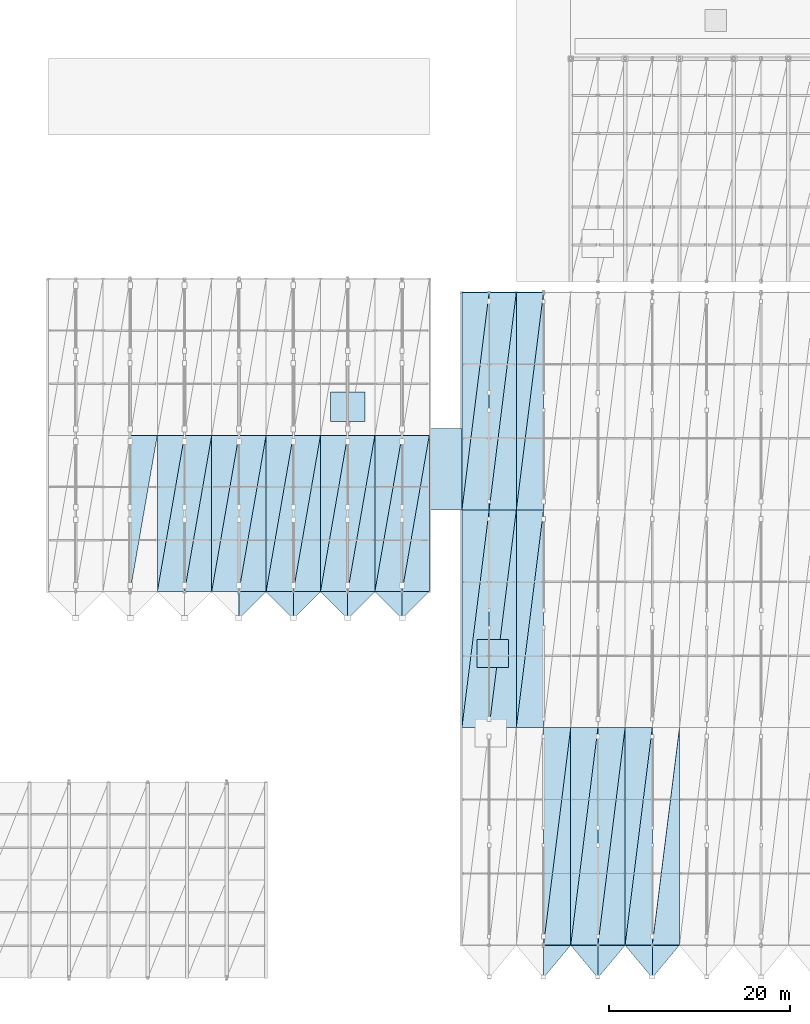
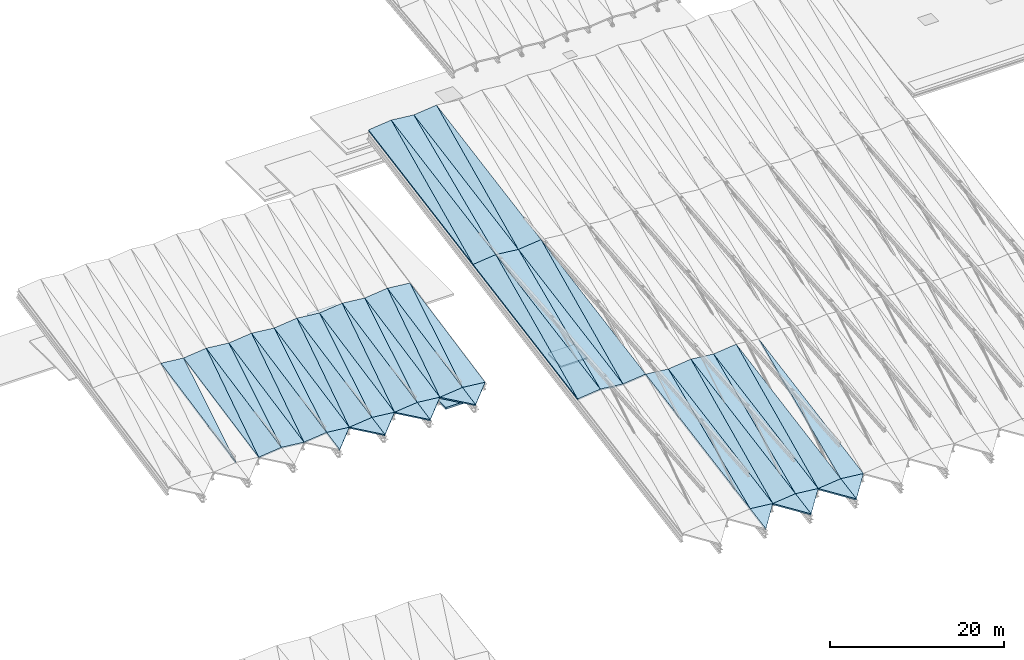
# One storey, part 19 of 52: 57 slabs.
"""IFC4 building model written with IfcOpenShell, lengths in metres."""

from ifc_helpers import new_model, si_unit, direction, frame, origin, place, context, subcontext, project, spatial, polyline, outline, extrude, material, layer, layer_set, type_object, element, save


model = new_model("IFC4")

# Units and contexts
model_context = context("Model", 3, precision=1e-05, world=origin(), true_north=direction((0.0, 1.0)))
body_context = subcontext(model_context, "Body", "Model", "MODEL_VIEW")
ifc_project = project(units=[si_unit("LENGTHUNIT", "METRE"), si_unit("AREAUNIT", "SQUARE_METRE"), si_unit("VOLUMEUNIT", "CUBIC_METRE"), si_unit("PLANEANGLEUNIT", "RADIAN"), si_unit("MASSUNIT", "GRAM", prefix="KILO")], contexts=[model_context])

# Site, building, storey
site_placement = place(None, origin())
site = spatial("IfcSite", under=ifc_project, at=site_placement, CompositionType="ELEMENT")
building_placement = place(site_placement, origin())
building = spatial("IfcBuilding", under=site, at=building_placement, Name="Vaelkrest Opera House", CompositionType="ELEMENT")
storey_placement = place(building_placement, frame((0.0, 0.0, 41.39990234375)))
storey = spatial("IfcBuildingStorey", under=building, at=storey_placement, Name="ROOF", CompositionType="ELEMENT", Elevation=41.39990234375)

# Slabs
ifc_material = material(Name="Concrete C40/50", Category="concrete")
ifc_layer_1 = layer(ifc_material, 0.235107421875)
ifc_layer_set_1 = layer_set([ifc_layer_1], Name="Concrete C40/50")
slab_type_1 = type_object("IfcSlabType", Name="RS01", PredefinedType="ROOF", material=ifc_layer_set_1)
slab_1_placement = place(storey_placement, frame((-30.0, -31.800048828125, -11.907958984375), z_axis=(-0.105709410569, -0.175053827978, 0.978867548664), x_axis=(0.994219425712, 0.0, 0.107367283359)))
element("IfcSlab", 1, at=slab_1_placement, inside=storey, type_object=slab_type_1, Name="Pleated roof facet V1 1-2WL", PredefinedType="ROOF", context=body_context, shape_type="SweptSolid", body=[
    extrude(outline(polyline([(0.0, 0.0), (3.0174425508234095, 0.0), (3.4782620921950986, 24.376399288817268), (0.0, 0.0)])), origin(), (0.0, 0.0, -1.0), 0.235107421875),
])
slab_2_placement = place(storey_placement, frame((-30.0, -31.800048828125, -11.907958984375), z_axis=(-0.105709410569, -0.175053827978, 0.978867548664), x_axis=(0.121835797394, 0.974686379149, 0.187463331813)))
element("IfcSlab", 2, at=slab_2_placement, inside=storey, type_object=slab_type_1, Name="Pleated roof facet V1 1-2WU", PredefinedType="ROOF", context=body_context, shape_type="SweptSolid", body=[
    extrude(outline(polyline([(0.0, 0.0), (24.623305007042667, 4.440892098500626e-16), (24.197064255165383, 2.9871856937523606), (0.0, 0.0)])), origin(), (0.0, 0.0, -1.0), 0.235107421875),
])
slab_3_placement = place(storey_placement, frame((-27.0, -31.800048828125, -11.583984375), z_axis=(0.105709410569, -0.175053827978, 0.978867548664), x_axis=(0.994219425712, 0.0, -0.107367283359)))
element("IfcSlab", 3, at=slab_3_placement, inside=storey, type_object=slab_type_1, Name="Pleated roof facet V1 1-2EL", PredefinedType="ROOF", context=body_context, shape_type="SweptSolid", body=[
    extrude(outline(polyline([(0.0, 0.0), (3.0174425508234095, 0.0), (2.55662300945172, 24.376399288817264), (0.0, 0.0)])), origin(), (0.0, 0.0, -1.0), 0.235107421875),
])
slab_4_placement = place(storey_placement, frame((-27.0, -31.800048828125, -11.583984375), z_axis=(0.105709410569, -0.175053827978, 0.978867548664), x_axis=(0.122398504974, 0.979188039796, 0.161893139758)))
element("IfcSlab", 4, at=slab_4_placement, inside=storey, type_object=slab_type_1, Name="Pleated roof facet V1 1-2EU", PredefinedType="ROOF", context=body_context, shape_type="SweptSolid", body=[
    extrude(outline(polyline([(0.0, 0.0), (24.51010329436229, -3.3306690738754696e-16), (24.195357046152544, 3.0009822303301914), (0.0, 0.0)])), origin(), (0.0, 0.0, -1.0), 0.235107421875),
])
slab_5_placement = place(storey_placement, frame((-30.0, -7.800048828125, -7.615966796875), z_axis=(-0.105709410569, -0.175053827978, 0.978867548664), x_axis=(0.994219425712, 0.0, 0.107367283359)))
element("IfcSlab", 5, at=slab_5_placement, inside=storey, type_object=slab_type_1, Name="Pleated roof facet V1 1-3WL", PredefinedType="ROOF", context=body_context, shape_type="SweptSolid", body=[
    extrude(outline(polyline([(0.0, 0.0), (3.0174425508234095, 0.0), (3.4782620921950986, 24.376399288817268), (0.0, 0.0)])), origin(), (0.0, 0.0, -1.0), 0.235107421875),
])
slab_6_placement = place(storey_placement, frame((-30.0, -7.800048828125, -7.615966796875), z_axis=(-0.105709410569, -0.175053827978, 0.978867548664), x_axis=(0.121835797394, 0.974686379149, 0.187463331813)))
element("IfcSlab", 6, at=slab_6_placement, inside=storey, type_object=slab_type_1, Name="Pleated roof facet V1 1-3WU", PredefinedType="ROOF", context=body_context, shape_type="SweptSolid", body=[
    extrude(outline(polyline([(0.0, 0.0), (24.623305007042667, 4.440892098500626e-16), (24.197064255165383, 2.9871856937523606), (0.0, 0.0)])), origin(), (0.0, 0.0, -1.0), 0.235107421875),
])
slab_7_placement = place(storey_placement, frame((-27.0, -7.800048828125, -7.2919921875), z_axis=(0.105709410569, -0.175053827978, 0.978867548664), x_axis=(0.994219425712, 0.0, -0.107367283359)))
element("IfcSlab", 7, at=slab_7_placement, inside=storey, type_object=slab_type_1, Name="Pleated roof facet V1 1-3EL", PredefinedType="ROOF", context=body_context, shape_type="SweptSolid", body=[
    extrude(outline(polyline([(0.0, 0.0), (3.0174425508234095, 0.0), (2.55662300945172, 24.376399288817264), (0.0, 0.0)])), origin(), (0.0, 0.0, -1.0), 0.235107421875),
])
slab_8_placement = place(storey_placement, frame((-27.0, -7.800048828125, -7.2919921875), z_axis=(0.105709410569, -0.175053827978, 0.978867548664), x_axis=(0.122398504974, 0.979188039796, 0.161893139758)))
element("IfcSlab", 8, at=slab_8_placement, inside=storey, type_object=slab_type_1, Name="Pleated roof facet V1 1-3EU", PredefinedType="ROOF", context=body_context, shape_type="SweptSolid", body=[
    extrude(outline(polyline([(0.0, 0.0), (24.51010329436229, -3.3306690738754696e-16), (24.195357046152544, 3.0009822303301914), (0.0, 0.0)])), origin(), (0.0, 0.0, -1.0), 0.235107421875),
])
slab_9_placement = place(storey_placement, frame((-21.0, -55.800048828125, -15.8759765625), z_axis=(0.105708050026, -0.175125083638, 0.978854950052), x_axis=(0.0, -0.984370170934, -0.176111801351)))
element("IfcSlab", 9, at=slab_9_placement, inside=storey, type_object=slab_type_1, Name="Sawtooth eave facet V1 bay 2E", PredefinedType="ROOF", context=body_context, shape_type="SweptSolid", body=[
    extrude(outline(polyline([(0.0, 0.0), (3.657011987887651, 0.0), (0.05705575204909795, 3.0169030790991282), (0.0, 0.0)])), origin(), (0.0, 0.0, -1.0), 0.235107421875),
])
slab_10_placement = place(storey_placement, frame((-21.0, -55.800048828125, -15.8759765625), z_axis=(0.105709410569, -0.175053827978, 0.978867548664), x_axis=(0.994219425712, 0.0, -0.107367283359)))
element("IfcSlab", 10, at=slab_10_placement, inside=storey, type_object=slab_type_1, Name="Pleated roof facet V1 2-1EL", PredefinedType="ROOF", context=body_context, shape_type="SweptSolid", body=[
    extrude(outline(polyline([(0.0, 0.0), (3.0174425508234095, 0.0), (2.55662300945172, 24.376399288817264), (0.0, 0.0)])), origin(), (0.0, 0.0, -1.0), 0.235107421875),
])
slab_11_placement = place(storey_placement, frame((-21.0, -55.800048828125, -15.8759765625), z_axis=(0.105709410569, -0.175053827978, 0.978867548664), x_axis=(0.122398504974, 0.979188039796, 0.161893139758)))
element("IfcSlab", 11, at=slab_11_placement, inside=storey, type_object=slab_type_1, Name="Pleated roof facet V1 2-1EU", PredefinedType="ROOF", context=body_context, shape_type="SweptSolid", body=[
    extrude(outline(polyline([(0.0, 0.0), (24.51010329436229, -3.3306690738754696e-16), (24.195357046152544, 3.0009822303301914), (0.0, 0.0)])), origin(), (0.0, 0.0, -1.0), 0.235107421875),
])
slab_12_placement = place(storey_placement, frame((-24.0, -31.800048828125, -11.907958984375), z_axis=(-0.105709410569, -0.175053827978, 0.978867548664), x_axis=(0.994219425712, 0.0, 0.107367283359)))
element("IfcSlab", 12, at=slab_12_placement, inside=storey, type_object=slab_type_1, Name="Pleated roof facet V1 2-2WL", PredefinedType="ROOF", context=body_context, shape_type="SweptSolid", body=[
    extrude(outline(polyline([(0.0, 0.0), (3.0174425508234095, 0.0), (3.4782620921950986, 24.376399288817268), (0.0, 0.0)])), origin(), (0.0, 0.0, -1.0), 0.235107421875),
])
slab_13_placement = place(storey_placement, frame((-24.0, -31.800048828125, -11.907958984375), z_axis=(-0.105709410569, -0.175053827978, 0.978867548664), x_axis=(0.121835797394, 0.974686379149, 0.187463331813)))
element("IfcSlab", 13, at=slab_13_placement, inside=storey, type_object=slab_type_1, Name="Pleated roof facet V1 2-2WU", PredefinedType="ROOF", context=body_context, shape_type="SweptSolid", body=[
    extrude(outline(polyline([(0.0, 0.0), (24.623305007042667, 4.440892098500626e-16), (24.197064255165383, 2.9871856937523606), (0.0, 0.0)])), origin(), (0.0, 0.0, -1.0), 0.235107421875),
])
slab_14_placement = place(storey_placement, frame((-24.0, -7.800048828125, -7.615966796875), z_axis=(-0.105709410569, -0.175053827978, 0.978867548664), x_axis=(0.994219425712, 0.0, 0.107367283359)))
element("IfcSlab", 14, at=slab_14_placement, inside=storey, type_object=slab_type_1, Name="Pleated roof facet V1 2-3WL", PredefinedType="ROOF", context=body_context, shape_type="SweptSolid", body=[
    extrude(outline(polyline([(0.0, 0.0), (3.0174425508234095, 0.0), (3.4782620921950986, 24.376399288817268), (0.0, 0.0)])), origin(), (0.0, 0.0, -1.0), 0.235107421875),
])
slab_15_placement = place(storey_placement, frame((-24.0, -7.800048828125, -7.615966796875), z_axis=(-0.105709410569, -0.175053827978, 0.978867548664), x_axis=(0.121835797394, 0.974686379149, 0.187463331813)))
element("IfcSlab", 15, at=slab_15_placement, inside=storey, type_object=slab_type_1, Name="Pleated roof facet V1 2-3WU", PredefinedType="ROOF", context=body_context, shape_type="SweptSolid", body=[
    extrude(outline(polyline([(0.0, 0.0), (24.623305007042667, 4.440892098500626e-16), (24.197064255165383, 2.9871856937523606), (0.0, 0.0)])), origin(), (0.0, 0.0, -1.0), 0.235107421875),
])
slab_16_placement = place(storey_placement, frame((-18.0, -55.800048828125, -16.199951171875), z_axis=(-0.105708050026, -0.175125083638, 0.978854950052), x_axis=(0.638711635196, -0.766422775144, -0.068143795064)))
element("IfcSlab", 16, at=slab_16_placement, inside=storey, type_object=slab_type_1, Name="Sawtooth eave facet V1 bay 3W", PredefinedType="ROOF", context=body_context, shape_type="SweptSolid", body=[
    extrude(outline(polyline([(0.0, 0.0), (4.696955299833145, -8.326672684688674e-17), (1.8940580462015932, 2.3489367094791396), (0.0, 0.0)])), origin(), (0.0, 0.0, -1.0), 0.235107421875),
])
slab_17_placement = place(storey_placement, frame((-15.0, -55.800048828125, -15.8759765625), z_axis=(0.105708050026, -0.175125083638, 0.978854950052), x_axis=(0.0, -0.984370170934, -0.176111801351)))
element("IfcSlab", 17, at=slab_17_placement, inside=storey, type_object=slab_type_1, Name="Sawtooth eave facet V1 bay 3E", PredefinedType="ROOF", context=body_context, shape_type="SweptSolid", body=[
    extrude(outline(polyline([(0.0, 0.0), (3.657011987887651, 0.0), (0.05705575204909795, 3.0169030790991282), (0.0, 0.0)])), origin(), (0.0, 0.0, -1.0), 0.235107421875),
])
slab_18_placement = place(storey_placement, frame((-18.0, -55.800048828125, -16.199951171875), z_axis=(-0.105709410569, -0.175053827978, 0.978867548664), x_axis=(0.994219425712, 0.0, 0.107367283359)))
element("IfcSlab", 18, at=slab_18_placement, inside=storey, type_object=slab_type_1, Name="Pleated roof facet V1 3-1WL", PredefinedType="ROOF", context=body_context, shape_type="SweptSolid", body=[
    extrude(outline(polyline([(0.0, 0.0), (3.0174425508234095, 0.0), (3.4782620921950986, 24.376399288817268), (0.0, 0.0)])), origin(), (0.0, 0.0, -1.0), 0.235107421875),
])
slab_19_placement = place(storey_placement, frame((-18.0, -55.800048828125, -16.199951171875), z_axis=(-0.105709410569, -0.175053827978, 0.978867548664), x_axis=(0.121835797394, 0.974686379149, 0.187463331813)))
element("IfcSlab", 19, at=slab_19_placement, inside=storey, type_object=slab_type_1, Name="Pleated roof facet V1 3-1WU", PredefinedType="ROOF", context=body_context, shape_type="SweptSolid", body=[
    extrude(outline(polyline([(0.0, 0.0), (24.623305007042667, 4.440892098500626e-16), (24.197064255165383, 2.9871856937523606), (0.0, 0.0)])), origin(), (0.0, 0.0, -1.0), 0.235107421875),
])
slab_20_placement = place(storey_placement, frame((-15.0, -55.800048828125, -15.8759765625), z_axis=(0.105709410569, -0.175053827978, 0.978867548664), x_axis=(0.994219425712, 0.0, -0.107367283359)))
element("IfcSlab", 20, at=slab_20_placement, inside=storey, type_object=slab_type_1, Name="Pleated roof facet V1 3-1EL", PredefinedType="ROOF", context=body_context, shape_type="SweptSolid", body=[
    extrude(outline(polyline([(0.0, 0.0), (3.0174425508234095, 0.0), (2.55662300945172, 24.376399288817264), (0.0, 0.0)])), origin(), (0.0, 0.0, -1.0), 0.235107421875),
])
slab_21_placement = place(storey_placement, frame((-15.0, -55.800048828125, -15.8759765625), z_axis=(0.105709410569, -0.175053827978, 0.978867548664), x_axis=(0.122398504974, 0.979188039796, 0.161893139758)))
element("IfcSlab", 21, at=slab_21_placement, inside=storey, type_object=slab_type_1, Name="Pleated roof facet V1 3-1EU", PredefinedType="ROOF", context=body_context, shape_type="SweptSolid", body=[
    extrude(outline(polyline([(0.0, 0.0), (24.51010329436229, -3.3306690738754696e-16), (24.195357046152544, 3.0009822303301914), (0.0, 0.0)])), origin(), (0.0, 0.0, -1.0), 0.235107421875),
])
slab_22_placement = place(storey_placement, frame((-12.0, -55.800048828125, -16.199951171875), z_axis=(-0.105708050026, -0.175125083638, 0.978854950052), x_axis=(0.638711635196, -0.766422775144, -0.068143795064)))
element("IfcSlab", 22, at=slab_22_placement, inside=storey, type_object=slab_type_1, Name="Sawtooth eave facet V1 bay 4W", PredefinedType="ROOF", context=body_context, shape_type="SweptSolid", body=[
    extrude(outline(polyline([(0.0, 0.0), (4.696955299833145, -8.326672684688674e-17), (1.8940580462015932, 2.3489367094791396), (0.0, 0.0)])), origin(), (0.0, 0.0, -1.0), 0.235107421875),
])
slab_23_placement = place(storey_placement, frame((-9.0, -55.800048828125, -15.8759765625), z_axis=(0.105708050026, -0.175125083638, 0.978854950052), x_axis=(0.0, -0.984370170934, -0.176111801351)))
element("IfcSlab", 23, at=slab_23_placement, inside=storey, type_object=slab_type_1, Name="Sawtooth eave facet V1 bay 4E", PredefinedType="ROOF", context=body_context, shape_type="SweptSolid", body=[
    extrude(outline(polyline([(0.0, 0.0), (3.657011987887651, 0.0), (0.05705575204909795, 3.0169030790991282), (0.0, 0.0)])), origin(), (0.0, 0.0, -1.0), 0.235107421875),
])
slab_24_placement = place(storey_placement, frame((-12.0, -55.800048828125, -16.199951171875), z_axis=(-0.105709410569, -0.175053827978, 0.978867548664), x_axis=(0.994219425712, 0.0, 0.107367283359)))
element("IfcSlab", 24, at=slab_24_placement, inside=storey, type_object=slab_type_1, Name="Pleated roof facet V1 4-1WL", PredefinedType="ROOF", context=body_context, shape_type="SweptSolid", body=[
    extrude(outline(polyline([(0.0, 0.0), (3.0174425508234095, 0.0), (3.4782620921950986, 24.376399288817268), (0.0, 0.0)])), origin(), (0.0, 0.0, -1.0), 0.235107421875),
])
slab_25_placement = place(storey_placement, frame((-12.0, -55.800048828125, -16.199951171875), z_axis=(-0.105709410569, -0.175053827978, 0.978867548664), x_axis=(0.121835797394, 0.974686379149, 0.187463331813)))
element("IfcSlab", 25, at=slab_25_placement, inside=storey, type_object=slab_type_1, Name="Pleated roof facet V1 4-1WU", PredefinedType="ROOF", context=body_context, shape_type="SweptSolid", body=[
    extrude(outline(polyline([(0.0, 0.0), (24.623305007042667, 4.440892098500626e-16), (24.197064255165383, 2.9871856937523606), (0.0, 0.0)])), origin(), (0.0, 0.0, -1.0), 0.235107421875),
])
slab_26_placement = place(storey_placement, frame((-9.0, -55.800048828125, -15.8759765625), z_axis=(0.105709410569, -0.175053827978, 0.978867548664), x_axis=(0.994219425712, 0.0, -0.107367283359)))
element("IfcSlab", 26, at=slab_26_placement, inside=storey, type_object=slab_type_1, Name="Pleated roof facet V1 4-1EL", PredefinedType="ROOF", context=body_context, shape_type="SweptSolid", body=[
    extrude(outline(polyline([(0.0, 0.0), (3.0174425508234095, 0.0), (2.55662300945172, 24.376399288817264), (0.0, 0.0)])), origin(), (0.0, 0.0, -1.0), 0.235107421875),
])
ifc_layer_2 = layer(ifc_material, 0.215087890625)
ifc_layer_set_2 = layer_set([ifc_layer_2], Name="Concrete C40/50")
slab_type_2 = type_object("IfcSlabType", Name="RS02", PredefinedType="ROOF", material=ifc_layer_set_2)
slab_27_placement = place(storey_placement, frame((-66.60009765625, -16.800048828125, -17.075927734375), z_axis=(0.105319554338, -0.194372394638, 0.975257485835), x_axis=(0.168693911768, 0.969989992668, 0.175105049203)))
element("IfcSlab", 27, at=slab_27_placement, inside=storey, type_object=slab_type_2, Name="Pleated roof facet V3 2-1EU", PredefinedType="ROOF", context=body_context, shape_type="SweptSolid", body=[
    extrude(outline(polyline([(0.0, 0.0), (17.78368862605912, -1.1102230246251565e-16), (17.334336480669204, 2.9837966078392753), (0.0, 0.0)])), origin(), (0.0, 0.0, -1.0), 0.215087890625),
])
slab_28_placement = place(storey_placement, frame((-63.60009765625, -16.800048828125, -17.39990234375), z_axis=(-0.105319554338, -0.194372394638, 0.975257485835), x_axis=(0.994219425712, 0.0, 0.107367283359)))
element("IfcSlab", 28, at=slab_28_placement, inside=storey, type_object=slab_type_2, Name="Pleated roof facet V3 3-1WL", PredefinedType="ROOF", context=body_context, shape_type="SweptSolid", body=[
    extrude(outline(polyline([(0.0, 0.0), (3.0174425508234095, 1.3877787807814457e-17), (3.3865700128027116, 17.585391901769633), (0.0, 0.0)])), origin(), (0.0, 0.0, -1.0), 0.215087890625),
])
slab_29_placement = place(storey_placement, frame((-63.60009765625, -16.800048828125, -17.39990234375), z_axis=(-0.105319554338, -0.194372394638, 0.975257485835), x_axis=(0.167518088972, 0.963229011591, 0.210065611408)))
element("IfcSlab", 29, at=slab_29_placement, inside=storey, type_object=slab_type_2, Name="Pleated roof facet V3 3-1WU", PredefinedType="ROOF", context=body_context, shape_type="SweptSolid", body=[
    extrude(outline(polyline([(0.0, 0.0), (17.90851375157748, 1.1102230246251565e-16), (17.337903560261445, 2.962999081519595), (0.0, 0.0)])), origin(), (0.0, 0.0, -1.0), 0.215087890625),
])
slab_30_placement = place(storey_placement, frame((-60.60009765625, -16.800048828125, -17.075927734375), z_axis=(0.105319554338, -0.194372394638, 0.975257485835), x_axis=(0.994219425712, 0.0, -0.107367283359)))
element("IfcSlab", 30, at=slab_30_placement, inside=storey, type_object=slab_type_2, Name="Pleated roof facet V3 3-1EL", PredefinedType="ROOF", context=body_context, shape_type="SweptSolid", body=[
    extrude(outline(polyline([(0.0, 0.0), (3.0174425508234095, -1.3877787807814457e-17), (2.6483150888441074, 17.585391901769633), (0.0, 0.0)])), origin(), (0.0, 0.0, -1.0), 0.215087890625),
])
slab_31_placement = place(storey_placement, frame((-60.60009765625, -16.800048828125, -17.075927734375), z_axis=(0.105319554338, -0.194372394638, 0.975257485835), x_axis=(0.168693911768, 0.969989992668, 0.175105049203)))
element("IfcSlab", 31, at=slab_31_placement, inside=storey, type_object=slab_type_2, Name="Pleated roof facet V3 3-1EU", PredefinedType="ROOF", context=body_context, shape_type="SweptSolid", body=[
    extrude(outline(polyline([(0.0, 0.0), (17.78368862605912, -1.1102230246251565e-16), (17.334336480669204, 2.9837966078392753), (0.0, 0.0)])), origin(), (0.0, 0.0, -1.0), 0.215087890625),
])
slab_32_placement = place(storey_placement, frame((-54.60009765625, -16.800048828125, -17.075927734375), z_axis=(0.105319624978, -0.194369074281, 0.97525813996), x_axis=(0.0, -0.980712448023, -0.195456118588)))
element("IfcSlab", 32, at=slab_32_placement, inside=storey, type_object=slab_type_2, Name="Sawtooth eave facet V3 bay 4E", PredefinedType="ROOF", context=body_context, shape_type="SweptSolid", body=[
    extrude(outline(polyline([(0.0, 0.0), (3.059000633721662, -6.938893903907228e-18), (0.06332281966945137, 3.016778044210213), (0.0, 0.0)])), origin(), (0.0, 0.0, -1.0), 0.215087890625),
])
slab_33_placement = place(storey_placement, frame((-57.60009765625, -16.800048828125, -17.39990234375), z_axis=(-0.105319554338, -0.194372394638, 0.975257485835), x_axis=(0.994219425712, 0.0, 0.107367283359)))
element("IfcSlab", 33, at=slab_33_placement, inside=storey, type_object=slab_type_2, Name="Pleated roof facet V3 4-1WL", PredefinedType="ROOF", context=body_context, shape_type="SweptSolid", body=[
    extrude(outline(polyline([(0.0, 0.0), (3.0174425508234095, 1.3877787807814457e-17), (3.3865700128027116, 17.585391901769633), (0.0, 0.0)])), origin(), (0.0, 0.0, -1.0), 0.215087890625),
])
slab_34_placement = place(storey_placement, frame((-57.60009765625, -16.800048828125, -17.39990234375), z_axis=(-0.105319554338, -0.194372394638, 0.975257485835), x_axis=(0.167518088972, 0.963229011591, 0.210065611408)))
element("IfcSlab", 34, at=slab_34_placement, inside=storey, type_object=slab_type_2, Name="Pleated roof facet V3 4-1WU", PredefinedType="ROOF", context=body_context, shape_type="SweptSolid", body=[
    extrude(outline(polyline([(0.0, 0.0), (17.90851375157748, 1.1102230246251565e-16), (17.337903560261445, 2.962999081519595), (0.0, 0.0)])), origin(), (0.0, 0.0, -1.0), 0.215087890625),
])
slab_35_placement = place(storey_placement, frame((-54.60009765625, -16.800048828125, -17.075927734375), z_axis=(0.105319554338, -0.194372394638, 0.975257485835), x_axis=(0.994219425712, 0.0, -0.107367283359)))
element("IfcSlab", 35, at=slab_35_placement, inside=storey, type_object=slab_type_2, Name="Pleated roof facet V3 4-1EL", PredefinedType="ROOF", context=body_context, shape_type="SweptSolid", body=[
    extrude(outline(polyline([(0.0, 0.0), (3.0174425508234095, -1.3877787807814457e-17), (2.6483150888441074, 17.585391901769633), (0.0, 0.0)])), origin(), (0.0, 0.0, -1.0), 0.215087890625),
])
slab_36_placement = place(storey_placement, frame((-54.60009765625, -16.800048828125, -17.075927734375), z_axis=(0.105319554338, -0.194372394638, 0.975257485835), x_axis=(0.168693911768, 0.969989992668, 0.175105049203)))
element("IfcSlab", 36, at=slab_36_placement, inside=storey, type_object=slab_type_2, Name="Pleated roof facet V3 4-1EU", PredefinedType="ROOF", context=body_context, shape_type="SweptSolid", body=[
    extrude(outline(polyline([(0.0, 0.0), (17.78368862605912, -1.1102230246251565e-16), (17.334336480669204, 2.9837966078392753), (0.0, 0.0)])), origin(), (0.0, 0.0, -1.0), 0.215087890625),
])
slab_37_placement = place(storey_placement, frame((-51.60009765625, -16.800048828125, -17.39990234375), z_axis=(-0.105319624978, -0.194369074281, 0.97525813996), x_axis=(0.70563753999, -0.70563753999, -0.064430771474)))
element("IfcSlab", 37, at=slab_37_placement, inside=storey, type_object=slab_type_2, Name="Sawtooth eave facet V3 bay 5W", PredefinedType="ROOF", context=body_context, shape_type="SweptSolid", body=[
    extrude(outline(polyline([(0.0, 0.0), (4.251474489354655, -2.8449465006019636e-16), (2.0960386859511555, 2.170617740302479), (0.0, 0.0)])), origin(), (0.0, 0.0, -1.0), 0.215087890625),
])
slab_38_placement = place(storey_placement, frame((-48.60009765625, -16.800048828125, -17.075927734375), z_axis=(0.105319624978, -0.194369074281, 0.97525813996), x_axis=(0.0, -0.980712448023, -0.195456118588)))
element("IfcSlab", 38, at=slab_38_placement, inside=storey, type_object=slab_type_2, Name="Sawtooth eave facet V3 bay 5E", PredefinedType="ROOF", context=body_context, shape_type="SweptSolid", body=[
    extrude(outline(polyline([(0.0, 0.0), (3.059000633721662, -6.938893903907228e-18), (0.06332281966945137, 3.016778044210213), (0.0, 0.0)])), origin(), (0.0, 0.0, -1.0), 0.215087890625),
])
slab_39_placement = place(storey_placement, frame((-51.60009765625, -16.800048828125, -17.39990234375), z_axis=(-0.105319554338, -0.194372394638, 0.975257485835), x_axis=(0.994219425712, 0.0, 0.107367283359)))
element("IfcSlab", 39, at=slab_39_placement, inside=storey, type_object=slab_type_2, Name="Pleated roof facet V3 5-1WL", PredefinedType="ROOF", context=body_context, shape_type="SweptSolid", body=[
    extrude(outline(polyline([(0.0, 0.0), (3.0174425508234095, 1.3877787807814457e-17), (3.3865700128027116, 17.585391901769633), (0.0, 0.0)])), origin(), (0.0, 0.0, -1.0), 0.215087890625),
])
slab_40_placement = place(storey_placement, frame((-51.60009765625, -16.800048828125, -17.39990234375), z_axis=(-0.105319554338, -0.194372394638, 0.975257485835), x_axis=(0.167518088972, 0.963229011591, 0.210065611408)))
element("IfcSlab", 40, at=slab_40_placement, inside=storey, type_object=slab_type_2, Name="Pleated roof facet V3 5-1WU", PredefinedType="ROOF", context=body_context, shape_type="SweptSolid", body=[
    extrude(outline(polyline([(0.0, 0.0), (17.90851375157748, 1.1102230246251565e-16), (17.337903560261445, 2.962999081519595), (0.0, 0.0)])), origin(), (0.0, 0.0, -1.0), 0.215087890625),
])
slab_41_placement = place(storey_placement, frame((-48.60009765625, -16.800048828125, -17.075927734375), z_axis=(0.105319554338, -0.194372394638, 0.975257485835), x_axis=(0.994219425712, 0.0, -0.107367283359)))
element("IfcSlab", 41, at=slab_41_placement, inside=storey, type_object=slab_type_2, Name="Pleated roof facet V3 5-1EL", PredefinedType="ROOF", context=body_context, shape_type="SweptSolid", body=[
    extrude(outline(polyline([(0.0, 0.0), (3.0174425508234095, -1.3877787807814457e-17), (2.6483150888441074, 17.585391901769633), (0.0, 0.0)])), origin(), (0.0, 0.0, -1.0), 0.215087890625),
])
slab_42_placement = place(storey_placement, frame((-48.60009765625, -16.800048828125, -17.075927734375), z_axis=(0.105319554338, -0.194372394638, 0.975257485835), x_axis=(0.168693911768, 0.969989992668, 0.175105049203)))
element("IfcSlab", 42, at=slab_42_placement, inside=storey, type_object=slab_type_2, Name="Pleated roof facet V3 5-1EU", PredefinedType="ROOF", context=body_context, shape_type="SweptSolid", body=[
    extrude(outline(polyline([(0.0, 0.0), (17.78368862605912, -1.1102230246251565e-16), (17.334336480669204, 2.9837966078392753), (0.0, 0.0)])), origin(), (0.0, 0.0, -1.0), 0.215087890625),
])
slab_43_placement = place(storey_placement, frame((-45.60009765625, -16.800048828125, -17.39990234375), z_axis=(-0.105319624978, -0.194369074281, 0.97525813996), x_axis=(0.70563753999, -0.70563753999, -0.064430771474)))
element("IfcSlab", 43, at=slab_43_placement, inside=storey, type_object=slab_type_2, Name="Sawtooth eave facet V3 bay 6W", PredefinedType="ROOF", context=body_context, shape_type="SweptSolid", body=[
    extrude(outline(polyline([(0.0, 0.0), (4.251474489354655, -2.8449465006019636e-16), (2.0960386859511555, 2.170617740302479), (0.0, 0.0)])), origin(), (0.0, 0.0, -1.0), 0.215087890625),
])
slab_44_placement = place(storey_placement, frame((-42.60009765625, -16.800048828125, -17.075927734375), z_axis=(0.105319624978, -0.194369074281, 0.97525813996), x_axis=(0.0, -0.980712448023, -0.195456118588)))
element("IfcSlab", 44, at=slab_44_placement, inside=storey, type_object=slab_type_2, Name="Sawtooth eave facet V3 bay 6E", PredefinedType="ROOF", context=body_context, shape_type="SweptSolid", body=[
    extrude(outline(polyline([(0.0, 0.0), (3.059000633721662, -6.938893903907228e-18), (0.06332281966945137, 3.016778044210213), (0.0, 0.0)])), origin(), (0.0, 0.0, -1.0), 0.215087890625),
])
slab_45_placement = place(storey_placement, frame((-45.60009765625, -16.800048828125, -17.39990234375), z_axis=(-0.105319554338, -0.194372394638, 0.975257485835), x_axis=(0.994219425712, 0.0, 0.107367283359)))
element("IfcSlab", 45, at=slab_45_placement, inside=storey, type_object=slab_type_2, Name="Pleated roof facet V3 6-1WL", PredefinedType="ROOF", context=body_context, shape_type="SweptSolid", body=[
    extrude(outline(polyline([(0.0, 0.0), (3.0174425508234095, 1.3877787807814457e-17), (3.3865700128027116, 17.585391901769633), (0.0, 0.0)])), origin(), (0.0, 0.0, -1.0), 0.215087890625),
])
slab_46_placement = place(storey_placement, frame((-45.60009765625, -16.800048828125, -17.39990234375), z_axis=(-0.105319554338, -0.194372394638, 0.975257485835), x_axis=(0.167518088972, 0.963229011591, 0.210065611408)))
element("IfcSlab", 46, at=slab_46_placement, inside=storey, type_object=slab_type_2, Name="Pleated roof facet V3 6-1WU", PredefinedType="ROOF", context=body_context, shape_type="SweptSolid", body=[
    extrude(outline(polyline([(0.0, 0.0), (17.90851375157748, 1.1102230246251565e-16), (17.337903560261445, 2.962999081519595), (0.0, 0.0)])), origin(), (0.0, 0.0, -1.0), 0.215087890625),
])
slab_47_placement = place(storey_placement, frame((-42.60009765625, -16.800048828125, -17.075927734375), z_axis=(0.105319554338, -0.194372394638, 0.975257485835), x_axis=(0.994219425712, 0.0, -0.107367283359)))
element("IfcSlab", 47, at=slab_47_placement, inside=storey, type_object=slab_type_2, Name="Pleated roof facet V3 6-1EL", PredefinedType="ROOF", context=body_context, shape_type="SweptSolid", body=[
    extrude(outline(polyline([(0.0, 0.0), (3.0174425508234095, -1.3877787807814457e-17), (2.6483150888441074, 17.585391901769633), (0.0, 0.0)])), origin(), (0.0, 0.0, -1.0), 0.215087890625),
])
slab_48_placement = place(storey_placement, frame((-42.60009765625, -16.800048828125, -17.075927734375), z_axis=(0.105319554338, -0.194372394638, 0.975257485835), x_axis=(0.168693911768, 0.969989992668, 0.175105049203)))
element("IfcSlab", 48, at=slab_48_placement, inside=storey, type_object=slab_type_2, Name="Pleated roof facet V3 6-1EU", PredefinedType="ROOF", context=body_context, shape_type="SweptSolid", body=[
    extrude(outline(polyline([(0.0, 0.0), (17.78368862605912, -1.1102230246251565e-16), (17.334336480669204, 2.9837966078392753), (0.0, 0.0)])), origin(), (0.0, 0.0, -1.0), 0.215087890625),
])
slab_49_placement = place(storey_placement, frame((-39.60009765625, -16.800048828125, -17.39990234375), z_axis=(-0.105319624978, -0.194369074281, 0.97525813996), x_axis=(0.70563753999, -0.70563753999, -0.064430771474)))
element("IfcSlab", 49, at=slab_49_placement, inside=storey, type_object=slab_type_2, Name="Sawtooth eave facet V3 bay 7W", PredefinedType="ROOF", context=body_context, shape_type="SweptSolid", body=[
    extrude(outline(polyline([(0.0, 0.0), (4.251474489354655, -2.8449465006019636e-16), (2.0960386859511555, 2.170617740302479), (0.0, 0.0)])), origin(), (0.0, 0.0, -1.0), 0.215087890625),
])
slab_50_placement = place(storey_placement, frame((-36.60009765625, -16.800048828125, -17.075927734375), z_axis=(0.105319624978, -0.194369074281, 0.97525813996), x_axis=(0.0, -0.980712448023, -0.195456118588)))
element("IfcSlab", 50, at=slab_50_placement, inside=storey, type_object=slab_type_2, Name="Sawtooth eave facet V3 bay 7E", PredefinedType="ROOF", context=body_context, shape_type="SweptSolid", body=[
    extrude(outline(polyline([(0.0, 0.0), (3.059000633721662, -6.938893903907228e-18), (0.06332281966945137, 3.016778044210213), (0.0, 0.0)])), origin(), (0.0, 0.0, -1.0), 0.215087890625),
])
slab_51_placement = place(storey_placement, frame((-39.60009765625, -16.800048828125, -17.39990234375), z_axis=(-0.105319554338, -0.194372394638, 0.975257485835), x_axis=(0.994219425712, 0.0, 0.107367283359)))
element("IfcSlab", 51, at=slab_51_placement, inside=storey, type_object=slab_type_2, Name="Pleated roof facet V3 7-1WL", PredefinedType="ROOF", context=body_context, shape_type="SweptSolid", body=[
    extrude(outline(polyline([(0.0, 0.0), (3.0174425508234095, 1.3877787807814457e-17), (3.3865700128027116, 17.585391901769633), (0.0, 0.0)])), origin(), (0.0, 0.0, -1.0), 0.215087890625),
])
slab_52_placement = place(storey_placement, frame((-39.60009765625, -16.800048828125, -17.39990234375), z_axis=(-0.105319554338, -0.194372394638, 0.975257485835), x_axis=(0.167518088972, 0.963229011591, 0.210065611408)))
element("IfcSlab", 52, at=slab_52_placement, inside=storey, type_object=slab_type_2, Name="Pleated roof facet V3 7-1WU", PredefinedType="ROOF", context=body_context, shape_type="SweptSolid", body=[
    extrude(outline(polyline([(0.0, 0.0), (17.90851375157748, 1.1102230246251565e-16), (17.337903560261445, 2.962999081519595), (0.0, 0.0)])), origin(), (0.0, 0.0, -1.0), 0.215087890625),
])
slab_53_placement = place(storey_placement, frame((-36.60009765625, -16.800048828125, -17.075927734375), z_axis=(0.105319554338, -0.194372394638, 0.975257485835), x_axis=(0.994219425712, 0.0, -0.107367283359)))
element("IfcSlab", 53, at=slab_53_placement, inside=storey, type_object=slab_type_2, Name="Pleated roof facet V3 7-1EL", PredefinedType="ROOF", context=body_context, shape_type="SweptSolid", body=[
    extrude(outline(polyline([(0.0, 0.0), (3.0174425508234095, -1.3877787807814457e-17), (2.6483150888441074, 17.585391901769633), (0.0, 0.0)])), origin(), (0.0, 0.0, -1.0), 0.215087890625),
])
slab_54_placement = place(storey_placement, frame((-36.60009765625, -16.800048828125, -17.075927734375), z_axis=(0.105319554338, -0.194372394638, 0.975257485835), x_axis=(0.168693911768, 0.969989992668, 0.175105049203)))
element("IfcSlab", 54, at=slab_54_placement, inside=storey, type_object=slab_type_2, Name="Pleated roof facet V3 7-1EU", PredefinedType="ROOF", context=body_context, shape_type="SweptSolid", body=[
    extrude(outline(polyline([(0.0, 0.0), (17.78368862605912, -1.1102230246251565e-16), (17.334336480669204, 2.9837966078392753), (0.0, 0.0)])), origin(), (0.0, 0.0, -1.0), 0.215087890625),
])
ifc_layer_3 = layer(ifc_material, 0.27490234375)
ifc_layer_set_3 = layer_set([ifc_layer_3], Name="Concrete C40/50")
slab_type_3 = type_object("IfcSlabType", Name="RS05", PredefinedType="ROOF", material=ifc_layer_set_3)
slab_55_placement = place(storey_placement, frame((0.0, 0.0, -26.6748046875)))
element("IfcSlab", 55, at=slab_55_placement, inside=storey, type_object=slab_type_3, Name="Seismic link bridge roof BR-W-L02", PredefinedType="ROOF", context=body_context, shape_type="SweptSolid", body=[
    extrude(outline(polyline([(-33.60009765625, -7.800048828125), (-30.050048828125, -7.800048828125), (-30.050048828125, 1.199951171875), (-33.60009765625, 1.199951171875), (-33.60009765625, -7.800048828125)])), origin(), (0.0, 0.0, 1.0), 0.27490234375),
])
ifc_layer_4 = layer(ifc_material, 0.205078125)
ifc_layer_set_4 = layer_set([ifc_layer_4], Name="Concrete C40/50")
slab_type_4 = type_object("IfcSlabType", Name="RS06", PredefinedType="ROOF", material=ifc_layer_set_4)
slab_56_placement = place(storey_placement, frame((0.0, 0.0, -12.15478515625)))
element("IfcSlab", 56, at=slab_56_placement, inside=storey, type_object=slab_type_4, Name="Lift overrun slab LP01", PredefinedType="ROOF", context=body_context, shape_type="SweptSolid", body=[
    extrude(outline(polyline([(-28.340087890625, -25.139892578125), (-24.860107421875, -25.139892578125), (-24.860107421875, -22.06005859375), (-28.340087890625, -22.06005859375), (-28.340087890625, -25.139892578125)])), origin(), (0.0, 0.0, 1.0), 0.204833984375),
])
slab_57_placement = place(storey_placement, frame((0.0, 0.0, -17.554931640625)))
element("IfcSlab", 57, at=slab_57_placement, inside=storey, type_object=slab_type_4, Name="Lift overrun slab LP05", PredefinedType="ROOF", context=body_context, shape_type="SweptSolid", body=[
    extrude(outline(polyline([(-44.489990234375, 1.9599609375), (-40.7099609375, 1.9599609375), (-40.7099609375, 5.239990234375), (-44.489990234375, 5.239990234375), (-44.489990234375, 1.9599609375)])), origin(), (0.0, 0.0, 1.0), 0.205078125),
])

save(model, "model.ifc")
